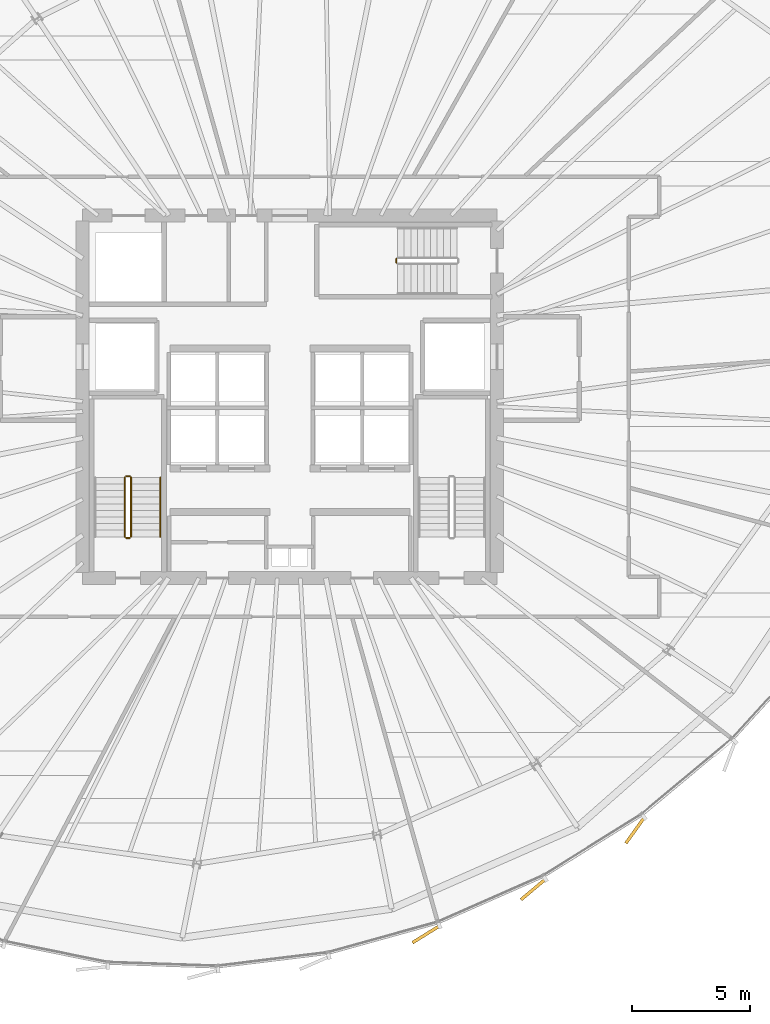
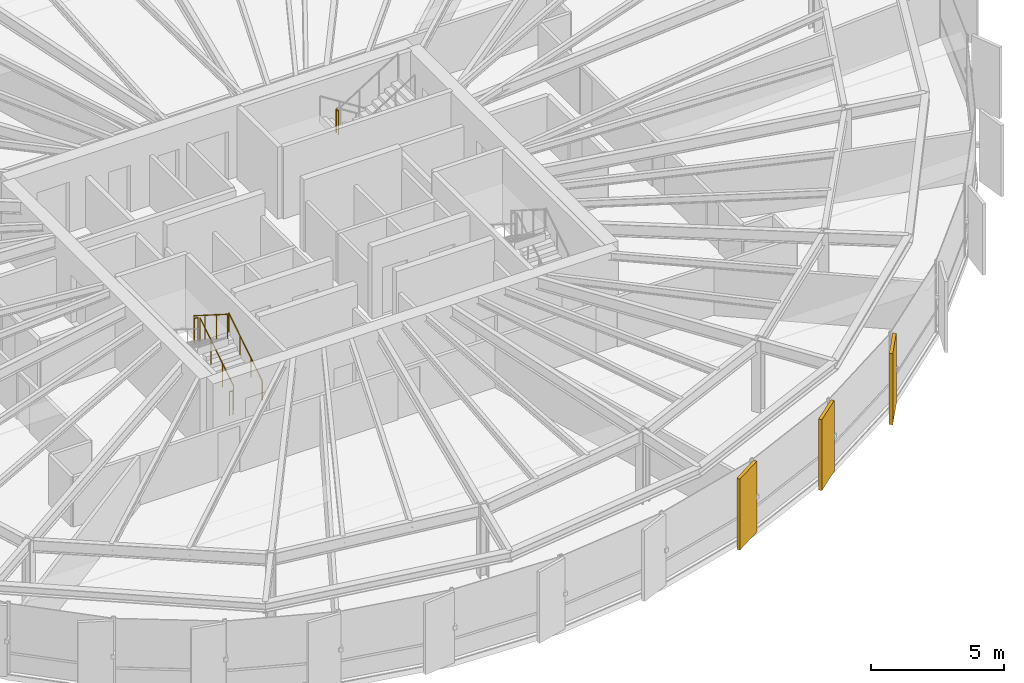
# One storey, part 33 of 35: 6 railings, 3 coverings.
"""IFC4 building model written with IfcOpenShell, lengths in metres."""

from ifc_helpers import new_model, si_unit, direction, frame, origin, origin_2d, place, context, subcontext, project, spatial, rectangle, circle, extrude, source, transform, mapped, material, layer, layer_set, type_object, element, save


model = new_model("IFC4")

# Units and contexts
model_context = context("Model", 3, precision=1e-05, world=origin(), true_north=direction((0.0, 1.0)))
body_context = subcontext(model_context, "Body", "Model", "MODEL_VIEW")
ifc_project = project(units=[si_unit("LENGTHUNIT", "METRE"), si_unit("AREAUNIT", "SQUARE_METRE"), si_unit("VOLUMEUNIT", "CUBIC_METRE"), si_unit("PLANEANGLEUNIT", "RADIAN"), si_unit("MASSUNIT", "GRAM", prefix="KILO"), si_unit("THERMODYNAMICTEMPERATUREUNIT", "KELVIN")], contexts=[model_context])

# Site, building, storey
site_placement = place(None, origin())
site = spatial("IfcSite", under=ifc_project, at=site_placement, CompositionType="ELEMENT")
building_placement = place(site_placement, origin())
building = spatial("IfcBuilding", under=site, at=building_placement, Name="Kethvar Cultural Tower", CompositionType="ELEMENT")
storey_placement = place(building_placement, frame((0.0, 0.0, 146.550048828125)))
storey = spatial("IfcBuildingStorey", under=building, at=storey_placement, Name="L37", CompositionType="ELEMENT", Elevation=146.550048828125)

# Railings
ifc_material_1 = material(Name="Steel S355J2", Category="steel")
railing_type_1 = type_object("IfcRailingType", Name="RL-STAIR-GUARD", PredefinedType="BALUSTRADE", material=ifc_material_1)
railing_1_placement = place(storey_placement, frame((40.050048828125, 21.85009765625, 0.177490234375)))
element("IfcRailing", 1, at=railing_1_placement, inside=storey, type_object=railing_type_1, Name="L37 ST-01 stair guard 1", PredefinedType="BALUSTRADE", context=body_context, shape_type="SweptSolid", body=[
    extrude(circle(Radius=0.02392578125, at=origin_2d()), frame((0.0, 0.0, 1.09619140625), z_axis=(0.0, 0.84460694969, 0.535386869969), x_axis=(-1.0, 0.0, 0.0)), (0.0, 0.0, 1.0), 2.983642578125),
    extrude(circle(Radius=0.02099609375, at=origin_2d()), origin(), (0.0, 0.0, 1.0), 1.072021484375),
    extrude(circle(Radius=0.02099609375, at=origin_2d()), frame((0.0, 0.840087890625, 0.532470703125)), (0.0, 0.0, 1.0), 1.072021484375),
    extrude(circle(Radius=0.02099609375, at=origin_2d()), frame((0.0, 1.679931640625, 1.06494140625)), (0.0, 0.0, 1.0), 1.072021484375),
    extrude(circle(Radius=0.02099609375, at=origin_2d()), frame((0.0, 2.52001953125, 1.597412109375)), (0.0, 0.0, 1.0), 1.072021484375),
])
railing_2_placement = place(storey_placement, frame((40.0, 24.419921875, 1.77490234375)))
element("IfcRailing", 2, at=railing_2_placement, inside=storey, type_object=railing_type_1, Name="L37 ST-01 stair guard 2", PredefinedType="BALUSTRADE", context=body_context, shape_type="SweptSolid", body=[
    extrude(circle(Radius=0.02392578125, at=origin_2d()), frame((0.0, 0.0, 1.09619140625), z_axis=(-1.0, 0.0, 0.0), x_axis=(0.0, -1.0, 0.0)), (0.0, 0.0, 1.0), 0.159912109375),
    extrude(circle(Radius=0.02099609375, at=origin_2d()), origin(), (0.0, 0.0, 1.0), 1.072021484375),
    extrude(circle(Radius=0.02099609375, at=origin_2d()), frame((-0.159912109375, 0.0, 0.0)), (0.0, 0.0, 1.0), 1.072021484375),
])
railing_3_placement = place(storey_placement, frame((39.7900390625, 24.3701171875, 1.952392578125)))
element("IfcRailing", 3, at=railing_3_placement, inside=storey, type_object=railing_type_1, Name="L37 ST-01 stair guard 3", PredefinedType="BALUSTRADE", context=body_context, shape_type="SweptSolid", body=[
    extrude(circle(Radius=0.02392578125, at=origin_2d()), frame((0.0, 0.0, 1.09619140625), z_axis=(0.0, -0.84456994832, 0.535445237532), x_axis=(1.0, 0.0, 0.0)), (0.0, 0.0, 1.0), 2.98388671875),
    extrude(circle(Radius=0.02099609375, at=origin_2d()), origin(), (0.0, 0.0, 1.0), 1.072021484375),
    extrude(circle(Radius=0.02099609375, at=origin_2d()), frame((0.0, -0.840087890625, 0.532470703125)), (0.0, 0.0, 1.0), 1.072021484375),
    extrude(circle(Radius=0.02099609375, at=origin_2d()), frame((0.0, -1.679931640625, 1.065185546875)), (0.0, 0.0, 1.0), 1.072021484375),
    extrude(circle(Radius=0.02099609375, at=origin_2d()), frame((0.0, -2.52001953125, 1.59765625)), (0.0, 0.0, 1.0), 1.072021484375),
])
railing_4_placement = place(storey_placement, frame((40.0, 21.800048828125, 0.0)))
element("IfcRailing", 4, at=railing_4_placement, inside=storey, type_object=railing_type_1, Name="L37 ST-01 stair guard 4", PredefinedType="BALUSTRADE", context=body_context, shape_type="SweptSolid", body=[
    extrude(circle(Radius=0.02392578125, at=origin_2d()), frame((0.0, 0.0, 1.09619140625), z_axis=(-1.0, 0.0, 0.0), x_axis=(0.0, -1.0, 0.0)), (0.0, 0.0, 1.0), 0.159912109375),
    extrude(circle(Radius=0.02099609375, at=origin_2d()), origin(), (0.0, 0.0, 1.0), 1.072021484375),
    extrude(circle(Radius=0.02099609375, at=origin_2d()), frame((-0.159912109375, 0.0, 0.0)), (0.0, 0.0, 1.0), 1.072021484375),
])
railing_5_placement = place(storey_placement, frame((51.330078125, 33.659912109375, 1.77490234375)))
element("IfcRailing", 5, at=railing_5_placement, inside=storey, type_object=railing_type_1, Name="L37 ST-03 stair guard 2", PredefinedType="BALUSTRADE", context=body_context, shape_type="SweptSolid", body=[
    extrude(circle(Radius=0.02392578125, at=origin_2d()), frame((0.0, 0.0, 1.09619140625), z_axis=(0.0, -1.0, 0.0), x_axis=(1.0, 0.0, 0.0)), (0.0, 0.0, 1.0), 0.159912109375),
    extrude(circle(Radius=0.02099609375, at=origin_2d()), origin(), (0.0, 0.0, 1.0), 1.072021484375),
    extrude(circle(Radius=0.02099609375, at=origin_2d()), frame((0.0, -0.159912109375, 0.0)), (0.0, 0.0, 1.0), 1.072021484375),
])
railing_type_2 = type_object("IfcRailingType", Name="RL-STAIR-HANDRAIL", PredefinedType="HANDRAIL", material=ifc_material_1)
railing_6_placement = place(storey_placement, frame((41.300048828125, 21.85009765625, 0.177490234375)))
element("IfcRailing", 6, at=railing_6_placement, inside=storey, type_object=railing_type_2, Name="L37 ST-01 stair handrail 1", PredefinedType="HANDRAIL", context=body_context, shape_type="SweptSolid", body=[
    extrude(circle(Radius=0.02392578125, at=origin_2d()), frame((0.0, 0.0, 0.8759765625), z_axis=(0.0, 0.84460694969, 0.535386869969), x_axis=(-1.0, 0.0, 0.0)), (0.0, 0.0, 1.0), 2.983642578125),
    extrude(circle(Radius=0.02099609375, at=origin_2d()), origin(), (0.0, 0.0, 1.0), 0.851806640625),
    extrude(circle(Radius=0.02099609375, at=origin_2d()), frame((0.0, 0.840087890625, 0.532470703125)), (0.0, 0.0, 1.0), 0.851806640625),
    extrude(circle(Radius=0.02099609375, at=origin_2d()), frame((0.0, 1.679931640625, 1.06494140625)), (0.0, 0.0, 1.0), 0.851806640625),
    extrude(circle(Radius=0.02099609375, at=origin_2d()), frame((0.0, 2.52001953125, 1.597412109375)), (0.0, 0.0, 1.0), 0.851806640625),
])

# Coverings
ifc_material_2 = material(Name="Extruded Architectural Terracotta", Category="masonry")
ifc_layer = layer(ifc_material_2, 0.135009765625, Name="Extruded Architectural Terracotta", Category="masonry")
ifc_layer_set = layer_set([ifc_layer], Name="Extruded Architectural Terracotta (135 mm)")
covering_type = type_object("IfcCoveringType", Name="Terracotta Facade Fin FIN-02", PredefinedType="CLADDING", material=ifc_layer_set)
shared_shape = source(origin(), body_context, "Body", "SweptSolid", [
    extrude(rectangle(XDim=1.35009765625, YDim=0.135009765625, at=origin_2d()), origin(), (0.0, 0.0, 1.0), 3.260009765625),
])
for number, where, z_axis, x_axis, name in (
    (7, (52.584716796875, 4.956787109375, 0.02001953125), (0.0, 0.0, 1.0), (-0.849892692987, -0.526955795497, 0.0), "L37 Vertical Terracotta Fin 5.3"),
    (8, (57.143798828125, 6.865478515625, 0.02001953125), (0.0, 0.0, 1.0), (-0.766380900901, -0.64238642166, 0.0), "L37 Vertical Terracotta Fin 5.4"),
    (9, (61.4716796875, 9.37548828125, 0.02001953125), (0.0, 0.0, 1.0), (-0.582548628905, -0.812795850728, 0.0), "L37 Vertical Terracotta Fin 5.5"),
):
    element("IfcCovering", number, at=place(storey_placement, frame(where, z_axis=z_axis, x_axis=x_axis)), inside=storey, type_object=covering_type, Name=name, PredefinedType="CLADDING", context=body_context, shape_type="MappedRepresentation", body=[
        mapped(shared_shape, transform((0.0, 0.0, 0.0), scale=1.0)),
    ])

save(model, "model.ifc")
